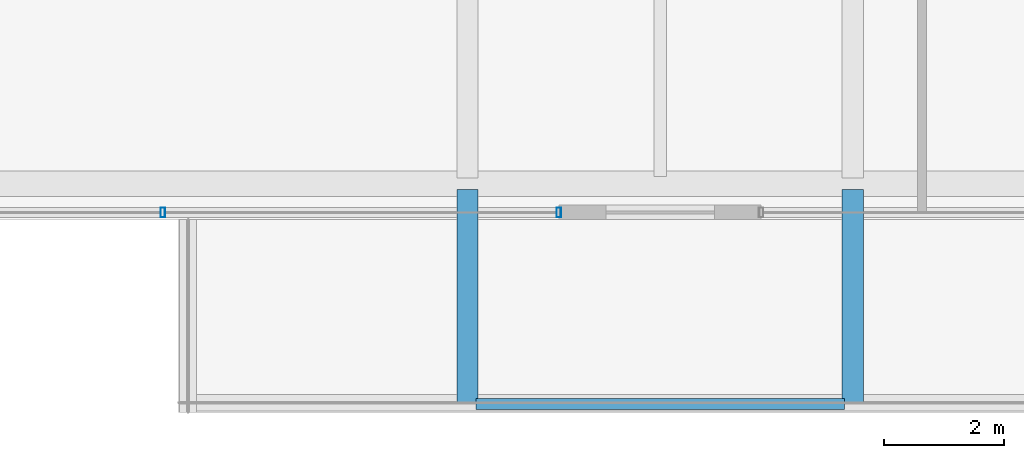
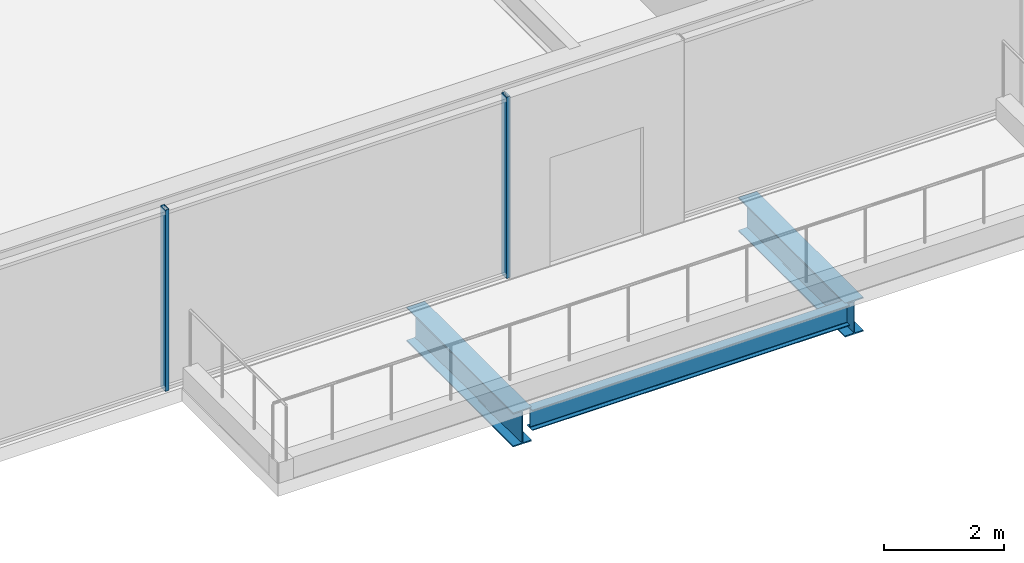
# One storey, part 5 of 39: 3 beams, 2 members, 1 element without a shape of its own.
"""IFC4 building model written with IfcOpenShell, lengths in metres."""

from ifc_helpers import new_model, si_unit, direction, frame, origin, origin_2d, place, context, subcontext, project, spatial, hollow_rectangle, i_section, extrude, material, material_profile, profile_set, type_object, element, aggregate, save


model = new_model("IFC4")

# Units and contexts
model_context = context("Model", 3, precision=1e-05, world=origin(), true_north=direction((0.0, 1.0)))
body_context = subcontext(model_context, "Body", "Model", "MODEL_VIEW")
ifc_project = project(units=[si_unit("LENGTHUNIT", "METRE"), si_unit("AREAUNIT", "SQUARE_METRE"), si_unit("VOLUMEUNIT", "CUBIC_METRE"), si_unit("PLANEANGLEUNIT", "RADIAN"), si_unit("MASSUNIT", "GRAM", prefix="KILO")], contexts=[model_context])

# Site, building, storey
site_placement = place(None, origin())
site = spatial("IfcSite", under=ifc_project, at=site_placement, CompositionType="ELEMENT")
building_placement = place(site_placement, origin())
building = spatial("IfcBuilding", under=site, at=building_placement, Name="Kolvaren Belvedere", CompositionType="ELEMENT")
storey_placement = place(building_placement, frame((0.0, 0.0, 15.199951171875)))
storey = spatial("IfcBuildingStorey", under=building, at=storey_placement, Name="L04", CompositionType="ELEMENT", Elevation=15.199951171875)

# Beams
ifc_material_1 = material(Name="Structural steel ASTM A992 Grade 50", Category="steel")
ifc_material_profile_1 = material_profile(ifc_material_1, i_section(OverallWidth=0.35498046875, OverallDepth=0.696044921875, WebThickness=0.015380859375, FlangeThickness=0.02490234375, FilletRadius=0.02197265625, at=origin_2d()), Name="W27X146")
ifc_profile_set_1 = profile_set([ifc_material_profile_1], Name="Structural steel ASTM A992 Grade 50")
beam_type_1 = type_object("IfcBeamType", Name="BM-CANT-BAL", PredefinedType="BEAM", material=ifc_profile_set_1)
for number, where, z_axis, x_axis, name in (
    (1, (-3.199951171875, -27.89501953125, -0.6279296875), (0.0, -1.0, 0.0), (1.0, 0.0, 0.0), "L04 Planted Balcony Cantilever POD-TERR-S-1"),
    (2, (3.199951171875, -27.89501953125, -0.6279296875), (0.0, -1.0, 0.0), (1.0, 0.0, 0.0), "L04 Planted Balcony Cantilever POD-TERR-S-2"),
):
    element("IfcBeam", number, at=place(storey_placement, frame(where, z_axis=z_axis, x_axis=x_axis)), inside=storey, type_object=beam_type_1, Name=name, PredefinedType="BEAM", context=body_context, shape_type="SweptSolid", body=[
        extrude(i_section(OverallWidth=0.35498046875, OverallDepth=0.696044921875, WebThickness=0.015380859375, FlangeThickness=0.02490234375, FilletRadius=0.02197265625, at=origin_2d()), origin(), (0.0, 0.0, 1.0), 3.56494140625),
    ])
ifc_material_2 = material(Name="Structural steel ASTM A992 Grade 50", Category="steel")
ifc_material_profile_2 = material_profile(ifc_material_2, i_section(OverallWidth=0.180908203125, OverallDepth=0.4169921875, WebThickness=0.010986328125, FlangeThickness=0.018310546875, FilletRadius=0.013916015625, at=origin_2d()), Name="W16X57")
ifc_profile_set_2 = profile_set([ifc_material_profile_2], Name="Structural steel ASTM A992 Grade 50")
beam_type_2 = type_object("IfcBeamType", Name="BM-EDGE-W16X57", PredefinedType="BEAM", material=ifc_profile_set_2)
beam_placement = place(storey_placement, frame((-3.06005859375, -31.4599609375, -0.488525390625), z_axis=(1.0, 0.0, 0.0), x_axis=(0.0, 1.0, 0.0)))
element("IfcBeam", 3, at=beam_placement, inside=storey, type_object=beam_type_2, Name="L04 Balcony Tip Header Beam POD-TERR-S", PredefinedType="BEAM", context=body_context, shape_type="SweptSolid", body=[
    extrude(i_section(OverallWidth=0.180908203125, OverallDepth=0.4169921875, WebThickness=0.010986328125, FlangeThickness=0.018310546875, FilletRadius=0.013916015625, at=origin_2d()), origin(), (0.0, 0.0, 1.0), 6.1201171875),
])

# Curtain wall, members
ifc_material_3 = material(Name="Anodised pale-metal aluminium AA 6063-T6", Category="aluminium")
curtain_wall_type = type_object("IfcCurtainWallType", Name="CW-POD-A", PredefinedType="NOTDEFINED", material=ifc_material_3)
curtain_wall_placement = place(storey_placement, origin())
curtain_wall = element("IfcCurtainWall", 4, at=curtain_wall_placement, inside=storey, type_object=curtain_wall_type, Name="L04 Unitised Curtain Wall FCW-L04-S2", PredefinedType="NOTDEFINED")
ifc_material_4 = material(Name="Anodised pale-metal aluminium AA 6063-T6", Category="aluminium")
ifc_material_profile_3 = material_profile(ifc_material_4, hollow_rectangle(XDim=0.074951171875, YDim=0.159912109375, WallThickness=0.00439453125, at=origin_2d()), Name="ALU-MUL-160X75")
ifc_profile_set_3 = profile_set([ifc_material_profile_3], Name="Anodised pale-metal aluminium AA 6063-T6")
member_type = type_object("IfcMemberType", Name="CW-MUL-160", PredefinedType="MULLION", material=ifc_profile_set_3)
member_1_placement = place(storey_placement, frame((-1.679931640625, -28.280029296875, 0.0), z_axis=(0.0, 0.0, 1.0), x_axis=(1.0, 0.0, 0.0)))
member_1 = element("IfcMember", 5, at=member_1_placement, type_object=member_type, Name="FCW-L04-S2 Unitised Mullion 1", PredefinedType="MULLION", context=body_context, shape_type="SweptSolid", body=[
    extrude(hollow_rectangle(XDim=0.074951171875, YDim=0.159912109375, WallThickness=0.00439453125, at=origin_2d()), origin(), (0.0, 0.0, 1.0), 3.699951171875),
])
member_2_placement = place(storey_placement, frame((-8.260009765625, -28.280029296875, 0.0), z_axis=(0.0, 0.0, 1.0), x_axis=(1.0, 0.0, 0.0)))
member_2 = element("IfcMember", 6, at=member_2_placement, type_object=member_type, Name="FCW-L04-S2 Unitised Mullion 2", PredefinedType="MULLION", context=body_context, shape_type="SweptSolid", body=[
    extrude(hollow_rectangle(XDim=0.074951171875, YDim=0.159912109375, WallThickness=0.00439453125, at=origin_2d()), origin(), (0.0, 0.0, 1.0), 3.699951171875),
])
aggregate(curtain_wall, [member_1, member_2])

save(model, "model.ifc")
